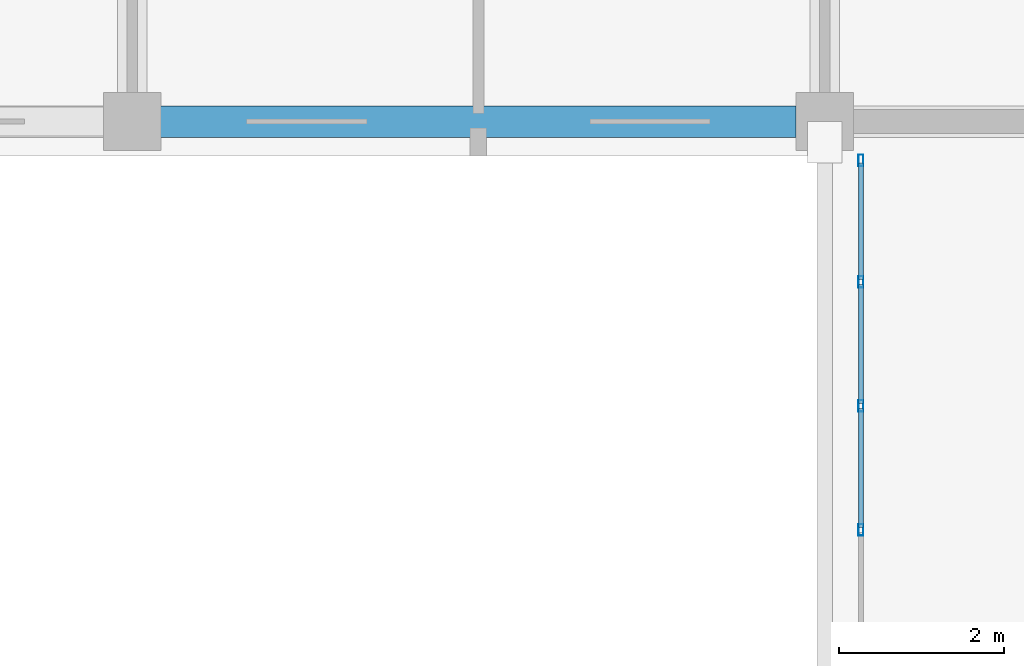
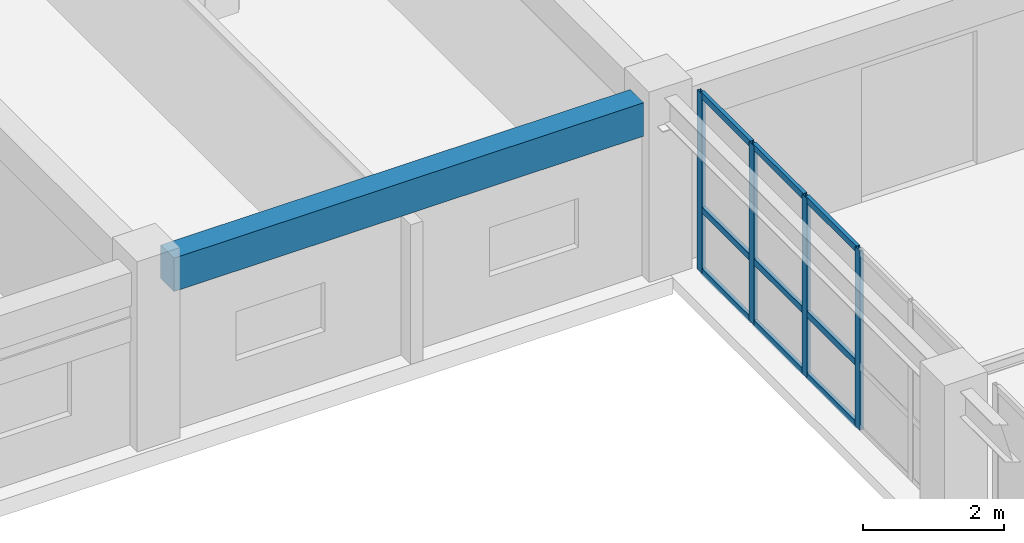
# One storey, part 69 of 148: 13 members, 1 beam, 1 element without a shape of its own.
"""IFC4 building model written with IfcOpenShell, lengths in metres."""

from ifc_helpers import new_model, si_unit, direction, frame, origin, origin_2d, place, context, subcontext, project, spatial, rectangle, hollow_rectangle, extrude, material, layer, layer_set, material_profile, profile_set, type_object, element, aggregate, save


model = new_model("IFC4")

# Units and contexts
model_context = context("Model", 3, precision=1e-05, world=origin(), true_north=direction((0.0, 1.0)))
body_context = subcontext(model_context, "Body", "Model", "MODEL_VIEW")
ifc_project = project(units=[si_unit("LENGTHUNIT", "METRE"), si_unit("AREAUNIT", "SQUARE_METRE"), si_unit("VOLUMEUNIT", "CUBIC_METRE"), si_unit("PLANEANGLEUNIT", "RADIAN"), si_unit("MASSUNIT", "GRAM", prefix="KILO")], contexts=[model_context])

# Site, building, storey
site_placement = place(None, origin())
site = spatial("IfcSite", under=ifc_project, at=site_placement, CompositionType="ELEMENT")
building_placement = place(site_placement, origin())
building = spatial("IfcBuilding", under=site, at=building_placement, Name="Trelvath General Hospital", CompositionType="ELEMENT")
storey_placement = place(building_placement, frame((0.0, 0.0, 12.89990234375)))
storey = spatial("IfcBuildingStorey", under=building, at=storey_placement, Name="L03", CompositionType="ELEMENT", Elevation=12.89990234375)

# Beam
ifc_material_1 = material(Name="Concrete C35/45", Category="concrete")
ifc_material_profile_1 = material_profile(ifc_material_1, rectangle(XDim=0.3798828125, YDim=0.580078125, at=origin_2d()), Name="RCB380x580")
ifc_profile_set_1 = profile_set([ifc_material_profile_1], Name="Concrete C35/45")
beam_type = type_object("IfcBeamType", Name="Beam RC380x580", PredefinedType="BEAM", material=ifc_profile_set_1)
beam_placement = place(storey_placement, frame((67.544921875, 92.39990234375, 2.72998046875), z_axis=(1.0, 0.0, 0.0), x_axis=(0.0, 1.0, 0.0)))
element("IfcBeam", 1, at=beam_placement, inside=storey, type_object=beam_type, Name="Grid Beam BX-308L", PredefinedType="BEAM", context=body_context, shape_type="SweptSolid", body=[
    extrude(rectangle(XDim=0.3798828125, YDim=0.580078125, at=origin_2d()), origin(), (0.0, 0.0, 1.0), 7.7099609375),
])

# Curtain wall, members
ifc_material_2 = material(Name="Anodised aluminium and low-E glass", Category="aluminium")
ifc_layer = layer(ifc_material_2, 0.139892578125)
ifc_layer_set = layer_set([ifc_layer], Name="Anodised aluminium and low-E glass")
curtain_wall_type = type_object("IfcCurtainWallType", Name="CW Bridge 752 311", PredefinedType="USERDEFINED", material=ifc_layer_set)
curtain_wall_placement = place(storey_placement, origin())
curtain_wall = element("IfcCurtainWall", 2, at=curtain_wall_placement, inside=storey, type_object=curtain_wall_type, Name="Glazed Bridge Curtain Wall BRG-N-C W L03", ObjectType="Unitised Glazed Curtain Wall", PredefinedType="USERDEFINED")
ifc_material_3 = material(Name="Anodised aluminium", Category="aluminium")
ifc_material_profile_2 = material_profile(ifc_material_3, hollow_rectangle(XDim=0.06005859375, YDim=0.139892578125, WallThickness=0.00390625, at=origin_2d()), Name="RHS60x140x4")
ifc_profile_set_2 = profile_set([ifc_material_profile_2], Name="Anodised aluminium")
member_type_1 = type_object("IfcMemberType", Name="CurtainMullion 60x140", PredefinedType="MULLION", material=ifc_profile_set_2)
member_1_placement = place(storey_placement, frame((76.0400390625, 87.447998046875, 0.0), z_axis=(0.0, 0.0, 1.0), x_axis=(-1.0, 0.0, 0.0)))
member_1 = element("IfcMember", 3, at=member_1_placement, type_object=member_type_1, Name="CW-262 mullion 3", PredefinedType="MULLION", context=body_context, shape_type="SweptSolid", body=[
    extrude(hollow_rectangle(XDim=0.06005859375, YDim=0.139892578125, WallThickness=0.00390625, at=origin_2d()), origin(), (0.0, 0.0, 1.0), 3.110107421875),
])
member_2_placement = place(storey_placement, frame((76.0400390625, 88.951904296875, 0.0), z_axis=(0.0, 0.0, 1.0), x_axis=(-1.0, 0.0, 0.0)))
member_2 = element("IfcMember", 4, at=member_2_placement, type_object=member_type_1, Name="CW-262 mullion 4", PredefinedType="MULLION", context=body_context, shape_type="SweptSolid", body=[
    extrude(hollow_rectangle(XDim=0.06005859375, YDim=0.139892578125, WallThickness=0.00390625, at=origin_2d()), origin(), (0.0, 0.0, 1.0), 3.110107421875),
])
member_3_placement = place(storey_placement, frame((76.0400390625, 90.4560546875, 0.0), z_axis=(0.0, 0.0, 1.0), x_axis=(-1.0, 0.0, 0.0)))
member_3 = element("IfcMember", 5, at=member_3_placement, type_object=member_type_1, Name="CW-262 mullion 5", PredefinedType="MULLION", context=body_context, shape_type="SweptSolid", body=[
    extrude(hollow_rectangle(XDim=0.06005859375, YDim=0.139892578125, WallThickness=0.00390625, at=origin_2d()), origin(), (0.0, 0.0, 1.0), 3.110107421875),
])
member_4_placement = place(storey_placement, frame((76.0400390625, 91.929931640625, 0.0), z_axis=(0.0, 0.0, 1.0), x_axis=(-1.0, 0.0, 0.0)))
member_4 = element("IfcMember", 6, at=member_4_placement, type_object=member_type_1, Name="CW-262 mullion 6", PredefinedType="MULLION", context=body_context, shape_type="SweptSolid", body=[
    extrude(hollow_rectangle(XDim=0.06005859375, YDim=0.139892578125, WallThickness=0.00390625, at=origin_2d()), origin(), (0.0, 0.0, 1.0), 3.110107421875),
])
ifc_material_4 = material(Name="Anodised aluminium", Category="aluminium")
ifc_material_profile_3 = material_profile(ifc_material_4, hollow_rectangle(XDim=0.06005859375, YDim=0.110107421875, WallThickness=0.00390625, at=origin_2d()), Name="RHS60x110x4")
ifc_profile_set_3 = profile_set([ifc_material_profile_3], Name="Anodised aluminium")
member_type_2 = type_object("IfcMemberType", Name="CurtainTransom 60x110", PredefinedType="USERDEFINED", material=ifc_profile_set_3)
member_5_placement = place(storey_placement, frame((76.0400390625, 87.47802734375, 0.030029296875), z_axis=(0.0, 1.0, 0.0), x_axis=(-1.0, 0.0, 0.0)))
member_5 = element("IfcMember", 7, at=member_5_placement, type_object=member_type_2, Name="CW-262 transom 3.1", ObjectType="TRANSOM", PredefinedType="USERDEFINED", context=body_context, shape_type="SweptSolid", body=[
    extrude(hollow_rectangle(XDim=0.06005859375, YDim=0.110107421875, WallThickness=0.00390625, at=origin_2d()), origin(), (0.0, 0.0, 1.0), 1.444091796875),
])
member_6_placement = place(storey_placement, frame((76.0400390625, 87.47802734375, 1.10009765625), z_axis=(0.0, 1.0, 0.0), x_axis=(-1.0, 0.0, 0.0)))
member_6 = element("IfcMember", 8, at=member_6_placement, type_object=member_type_2, Name="CW-262 transom 3.2", ObjectType="TRANSOM", PredefinedType="USERDEFINED", context=body_context, shape_type="SweptSolid", body=[
    extrude(hollow_rectangle(XDim=0.06005859375, YDim=0.110107421875, WallThickness=0.00390625, at=origin_2d()), origin(), (0.0, 0.0, 1.0), 1.444091796875),
])
member_7_placement = place(storey_placement, frame((76.0400390625, 87.47802734375, 3.080078125), z_axis=(0.0, 1.0, 0.0), x_axis=(-1.0, 0.0, 0.0)))
member_7 = element("IfcMember", 9, at=member_7_placement, type_object=member_type_2, Name="CW-262 transom 3.3", ObjectType="TRANSOM", PredefinedType="USERDEFINED", context=body_context, shape_type="SweptSolid", body=[
    extrude(hollow_rectangle(XDim=0.06005859375, YDim=0.110107421875, WallThickness=0.00390625, at=origin_2d()), origin(), (0.0, 0.0, 1.0), 1.444091796875),
])
member_8_placement = place(storey_placement, frame((76.0400390625, 88.98193359375, 0.030029296875), z_axis=(0.0, 1.0, 0.0), x_axis=(-1.0, 0.0, 0.0)))
member_8 = element("IfcMember", 10, at=member_8_placement, type_object=member_type_2, Name="CW-262 transom 4.1", ObjectType="TRANSOM", PredefinedType="USERDEFINED", context=body_context, shape_type="SweptSolid", body=[
    extrude(hollow_rectangle(XDim=0.06005859375, YDim=0.110107421875, WallThickness=0.00390625, at=origin_2d()), origin(), (0.0, 0.0, 1.0), 1.444091796875),
])
member_9_placement = place(storey_placement, frame((76.0400390625, 88.98193359375, 1.10009765625), z_axis=(0.0, 1.0, 0.0), x_axis=(-1.0, 0.0, 0.0)))
member_9 = element("IfcMember", 11, at=member_9_placement, type_object=member_type_2, Name="CW-262 transom 4.2", ObjectType="TRANSOM", PredefinedType="USERDEFINED", context=body_context, shape_type="SweptSolid", body=[
    extrude(hollow_rectangle(XDim=0.06005859375, YDim=0.110107421875, WallThickness=0.00390625, at=origin_2d()), origin(), (0.0, 0.0, 1.0), 1.444091796875),
])
member_10_placement = place(storey_placement, frame((76.0400390625, 88.98193359375, 3.080078125), z_axis=(0.0, 1.0, 0.0), x_axis=(-1.0, 0.0, 0.0)))
member_10 = element("IfcMember", 12, at=member_10_placement, type_object=member_type_2, Name="CW-262 transom 4.3", ObjectType="TRANSOM", PredefinedType="USERDEFINED", context=body_context, shape_type="SweptSolid", body=[
    extrude(hollow_rectangle(XDim=0.06005859375, YDim=0.110107421875, WallThickness=0.00390625, at=origin_2d()), origin(), (0.0, 0.0, 1.0), 1.444091796875),
])
member_11_placement = place(storey_placement, frame((76.0400390625, 90.486083984375, 0.030029296875), z_axis=(0.0, 1.0, 0.0), x_axis=(-1.0, 0.0, 0.0)))
member_11 = element("IfcMember", 13, at=member_11_placement, type_object=member_type_2, Name="CW-262 transom 5.1", ObjectType="TRANSOM", PredefinedType="USERDEFINED", context=body_context, shape_type="SweptSolid", body=[
    extrude(hollow_rectangle(XDim=0.06005859375, YDim=0.110107421875, WallThickness=0.00390625, at=origin_2d()), origin(), (0.0, 0.0, 1.0), 1.413818359375),
])
member_12_placement = place(storey_placement, frame((76.0400390625, 90.486083984375, 1.10009765625), z_axis=(0.0, 1.0, 0.0), x_axis=(-1.0, 0.0, 0.0)))
member_12 = element("IfcMember", 14, at=member_12_placement, type_object=member_type_2, Name="CW-262 transom 5.2", ObjectType="TRANSOM", PredefinedType="USERDEFINED", context=body_context, shape_type="SweptSolid", body=[
    extrude(hollow_rectangle(XDim=0.06005859375, YDim=0.110107421875, WallThickness=0.00390625, at=origin_2d()), origin(), (0.0, 0.0, 1.0), 1.413818359375),
])
member_13_placement = place(storey_placement, frame((76.0400390625, 90.486083984375, 3.080078125), z_axis=(0.0, 1.0, 0.0), x_axis=(-1.0, 0.0, 0.0)))
member_13 = element("IfcMember", 15, at=member_13_placement, type_object=member_type_2, Name="CW-262 transom 5.3", ObjectType="TRANSOM", PredefinedType="USERDEFINED", context=body_context, shape_type="SweptSolid", body=[
    extrude(hollow_rectangle(XDim=0.06005859375, YDim=0.110107421875, WallThickness=0.00390625, at=origin_2d()), origin(), (0.0, 0.0, 1.0), 1.413818359375),
])
aggregate(curtain_wall, [member_1, member_2, member_3, member_4, member_5, member_6, member_7, member_8, member_9, member_10, member_11, member_12, member_13])

save(model, "model.ifc")
